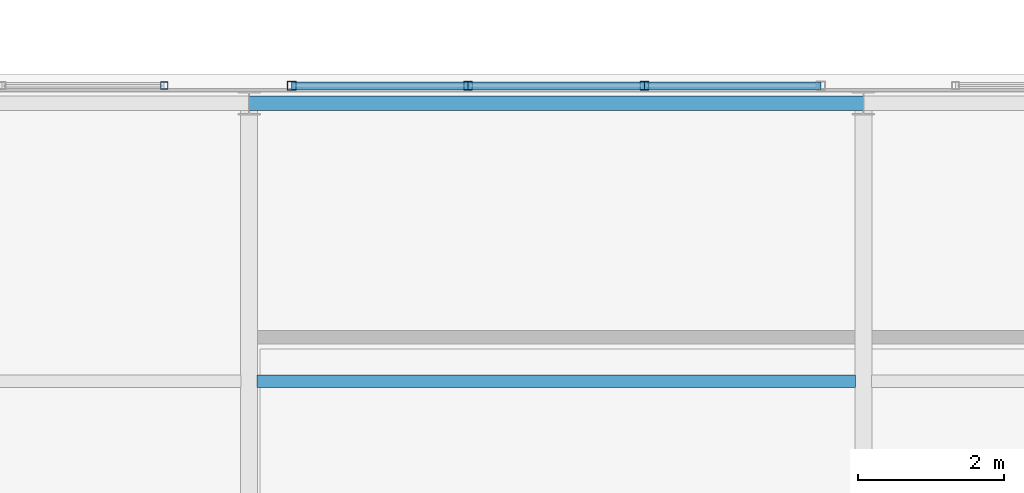
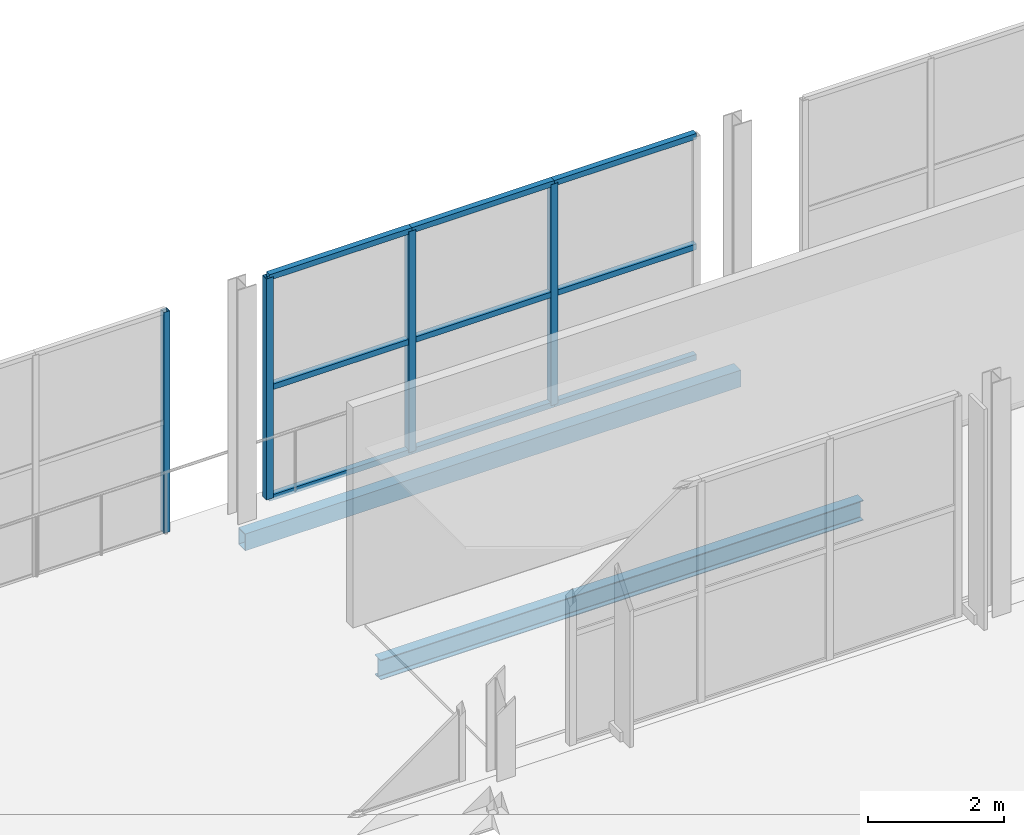
# One storey, part 30 of 151: 13 members, 2 beams, 2 elements without a shape of their own.
"""IFC4 building model written with IfcOpenShell, lengths in metres."""

from ifc_helpers import new_model, si_unit, direction, frame, origin, origin_2d, place, context, subcontext, project, spatial, hollow_rectangle, i_section, extrude, material, material_profile, profile_set, type_object, element, aggregate, save


model = new_model("IFC4")

# Units and contexts
model_context = context("Model", 3, precision=1e-05, world=origin(), true_north=direction((0.0, 1.0)))
body_context = subcontext(model_context, "Body", "Model", "MODEL_VIEW")
ifc_project = project(units=[si_unit("LENGTHUNIT", "METRE"), si_unit("AREAUNIT", "SQUARE_METRE"), si_unit("VOLUMEUNIT", "CUBIC_METRE"), si_unit("PLANEANGLEUNIT", "RADIAN"), si_unit("MASSUNIT", "GRAM", prefix="KILO")], contexts=[model_context])

# Site, building, storey
site_placement = place(None, origin())
site = spatial("IfcSite", under=ifc_project, at=site_placement, CompositionType="ELEMENT")
building_placement = place(site_placement, origin())
building = spatial("IfcBuilding", under=site, at=building_placement, Name="Zuvorla Pavilion Media Centre", CompositionType="ELEMENT")
storey_placement = place(building_placement, frame((0.0, 0.0, 13.800048828125)))
storey = spatial("IfcBuildingStorey", under=building, at=storey_placement, Name="L03", CompositionType="ELEMENT", Elevation=13.800048828125)

# Beams
ifc_material_1 = material(Name="Steel S355", Category="steel")
ifc_material_profile_1 = material_profile(ifc_material_1, hollow_rectangle(XDim=0.199951171875, YDim=0.300048828125, WallThickness=0.012451171875, at=origin_2d()), Name="RHS 300x200x12.5")
ifc_profile_set_1 = profile_set([ifc_material_profile_1], Name="Steel S355")
beam_type_1 = type_object("IfcBeamType", Name="BM-SP-RHS300", PredefinedType="SPANDREL", material=ifc_profile_set_1)
beam_1_placement = place(storey_placement, frame((50.0, 51.60009765625, -0.407958984375), z_axis=(1.0, 0.0, 0.0), x_axis=(0.0, 1.0, 0.0)))
element("IfcBeam", 1, at=beam_1_placement, inside=storey, type_object=beam_type_1, Name="L03 spandrel SP01 1095", PredefinedType="SPANDREL", context=body_context, shape_type="SweptSolid", body=[
    extrude(hollow_rectangle(XDim=0.199951171875, YDim=0.300048828125, WallThickness=0.012451171875, at=origin_2d()), origin(), (0.0, 0.0, 1.0), 8.39990234375),
])
ifc_material_profile_2 = material_profile(ifc_material_1, i_section(OverallWidth=0.172119140625, OverallDepth=0.35791015625, WebThickness=0.008056640625, FlangeThickness=0.012939453125, FilletRadius=0.01025390625, at=origin_2d()), Name="UB 356x171x57")
ifc_profile_set_2 = profile_set([ifc_material_profile_2], Name="Steel S355")
beam_type_2 = type_object("IfcBeamType", Name="BM-UB356", PredefinedType="JOIST", material=ifc_profile_set_2)
beam_2_placement = place(storey_placement, frame((50.109619140625, 47.800048828125, -0.43701171875), z_axis=(1.0, 0.0, 0.0), x_axis=(0.0, 1.0, 0.0)))
element("IfcBeam", 2, at=beam_2_placement, inside=storey, type_object=beam_type_2, Name="L03 joist J03 1251", PredefinedType="JOIST", context=body_context, shape_type="SweptSolid", body=[
    extrude(i_section(OverallWidth=0.172119140625, OverallDepth=0.35791015625, WebThickness=0.008056640625, FlangeThickness=0.012939453125, FilletRadius=0.01025390625, at=origin_2d()), origin(), (0.0, 0.0, 1.0), 8.180908203125),
])

# Curtain wall, member
ifc_material_2 = material(Name="Unitised anodised aluminium and solar glass curtain wall", Category="aluminium")
curtain_wall_type_1 = type_object("IfcCurtainWallType", Name="CW-SYS-32", PredefinedType="USERDEFINED", material=ifc_material_2)
curtain_wall_1_placement = place(storey_placement, origin())
curtain_wall_1 = element("IfcCurtainWall", 3, at=curtain_wall_1_placement, inside=storey, type_object=curtain_wall_type_1, Name="L03 curtain wall CW32 152", ObjectType="CURTAIN WALL", PredefinedType="USERDEFINED")
ifc_material_3 = material(Name="Anodised aluminium 6063-T6", Category="aluminium")
ifc_material_profile_3 = material_profile(ifc_material_3, hollow_rectangle(XDim=0.10009765625, YDim=0.10009765625, WallThickness=0.00439453125, at=origin_2d()), Name="ALU MULL 100x100")
ifc_profile_set_3 = profile_set([ifc_material_profile_3], Name="Anodised aluminium 6063-T6")
member_type_1 = type_object("IfcMemberType", Name="CW-MULL-100", PredefinedType="MULLION", material=ifc_profile_set_3)
member_1_placement = place(storey_placement, frame((48.840087890625, 51.840087890625, 0.0), z_axis=(0.0, 0.0, 1.0), x_axis=(1.0, 0.0, 0.0)))
member_1 = element("IfcMember", 4, at=member_1_placement, type_object=member_type_1, Name="CW32 mullion 4", PredefinedType="MULLION", context=body_context, shape_type="SweptSolid", body=[
    extrude(hollow_rectangle(XDim=0.10009765625, YDim=0.10009765625, WallThickness=0.00439453125, at=origin_2d()), origin(), (0.0, 0.0, 1.0), 3.9599609375),
])
aggregate(curtain_wall_1, [member_1])

# Curtain wall, members
curtain_wall_type_2 = type_object("IfcCurtainWallType", Name="CW-SYS-74", PredefinedType="USERDEFINED", material=ifc_material_2)
curtain_wall_2_placement = place(storey_placement, origin())
curtain_wall_2 = element("IfcCurtainWall", 5, at=curtain_wall_2_placement, inside=storey, type_object=curtain_wall_type_2, Name="L03 curtain wall CW74 154", ObjectType="CURTAIN WALL", PredefinedType="USERDEFINED")
ifc_material_profile_4 = material_profile(ifc_material_3, hollow_rectangle(XDim=0.1201171875, YDim=0.1201171875, WallThickness=0.0048828125, at=origin_2d()), Name="ALU MULL 120x120")
ifc_profile_set_4 = profile_set([ifc_material_profile_4], Name="Anodised aluminium 6063-T6")
member_type_2 = type_object("IfcMemberType", Name="CW-MULL-120", PredefinedType="MULLION", material=ifc_profile_set_4)
member_2_placement = place(storey_placement, frame((50.581787109375, 51.840087890625, 0.0), z_axis=(0.0, 0.0, 1.0), x_axis=(1.0, 0.0, 0.0)))
member_2 = element("IfcMember", 6, at=member_2_placement, type_object=member_type_2, Name="CW74 mullion 1", PredefinedType="MULLION", context=body_context, shape_type="SweptSolid", body=[
    extrude(hollow_rectangle(XDim=0.1201171875, YDim=0.1201171875, WallThickness=0.0048828125, at=origin_2d()), origin(), (0.0, 0.0, 1.0), 3.9599609375),
])
member_3_placement = place(storey_placement, frame((52.993896484375, 51.840087890625, 0.0), z_axis=(0.0, 0.0, 1.0), x_axis=(1.0, 0.0, 0.0)))
member_3 = element("IfcMember", 7, at=member_3_placement, type_object=member_type_2, Name="CW74 mullion 2", PredefinedType="MULLION", context=body_context, shape_type="SweptSolid", body=[
    extrude(hollow_rectangle(XDim=0.1201171875, YDim=0.1201171875, WallThickness=0.0048828125, at=origin_2d()), origin(), (0.0, 0.0, 1.0), 3.9599609375),
])
member_4_placement = place(storey_placement, frame((55.406005859375, 51.840087890625, 0.0), z_axis=(0.0, 0.0, 1.0), x_axis=(1.0, 0.0, 0.0)))
member_4 = element("IfcMember", 8, at=member_4_placement, type_object=member_type_2, Name="CW74 mullion 3", PredefinedType="MULLION", context=body_context, shape_type="SweptSolid", body=[
    extrude(hollow_rectangle(XDim=0.1201171875, YDim=0.1201171875, WallThickness=0.0048828125, at=origin_2d()), origin(), (0.0, 0.0, 1.0), 3.9599609375),
])
ifc_material_profile_5 = material_profile(ifc_material_3, hollow_rectangle(XDim=0.10009765625, YDim=0.10009765625, WallThickness=0.00439453125, at=origin_2d()), Name="ALU TRAN 100x100")
ifc_profile_set_5 = profile_set([ifc_material_profile_5], Name="Anodised aluminium 6063-T6")
member_type_3 = type_object("IfcMemberType", Name="CW-TRAN-100", PredefinedType="USERDEFINED", material=ifc_profile_set_5)
member_5_placement = place(storey_placement, frame((50.581787109375, 51.840087890625, 0.0), z_axis=(1.0, 0.0, 0.0), x_axis=(0.0, 1.0, 0.0)))
member_5 = element("IfcMember", 9, at=member_5_placement, type_object=member_type_3, Name="CW74 transom 1.1", ObjectType="TRANSOM", PredefinedType="USERDEFINED", context=body_context, shape_type="SweptSolid", body=[
    extrude(hollow_rectangle(XDim=0.10009765625, YDim=0.10009765625, WallThickness=0.00439453125, at=origin_2d()), origin(), (0.0, 0.0, 1.0), 2.412109375),
])
member_6_placement = place(storey_placement, frame((50.581787109375, 51.840087890625, 1.97998046875), z_axis=(1.0, 0.0, 0.0), x_axis=(0.0, 1.0, 0.0)))
member_6 = element("IfcMember", 10, at=member_6_placement, type_object=member_type_3, Name="CW74 transom 1.2", ObjectType="TRANSOM", PredefinedType="USERDEFINED", context=body_context, shape_type="SweptSolid", body=[
    extrude(hollow_rectangle(XDim=0.10009765625, YDim=0.10009765625, WallThickness=0.00439453125, at=origin_2d()), origin(), (0.0, 0.0, 1.0), 2.412109375),
])
member_7_placement = place(storey_placement, frame((50.581787109375, 51.840087890625, 3.9599609375), z_axis=(1.0, 0.0, 0.0), x_axis=(0.0, 1.0, 0.0)))
member_7 = element("IfcMember", 11, at=member_7_placement, type_object=member_type_3, Name="CW74 transom 1.3", ObjectType="TRANSOM", PredefinedType="USERDEFINED", context=body_context, shape_type="SweptSolid", body=[
    extrude(hollow_rectangle(XDim=0.10009765625, YDim=0.10009765625, WallThickness=0.00439453125, at=origin_2d()), origin(), (0.0, 0.0, 1.0), 2.412109375),
])
member_8_placement = place(storey_placement, frame((52.993896484375, 51.840087890625, 0.0), z_axis=(1.0, 0.0, 0.0), x_axis=(0.0, 1.0, 0.0)))
member_8 = element("IfcMember", 12, at=member_8_placement, type_object=member_type_3, Name="CW74 transom 2.1", ObjectType="TRANSOM", PredefinedType="USERDEFINED", context=body_context, shape_type="SweptSolid", body=[
    extrude(hollow_rectangle(XDim=0.10009765625, YDim=0.10009765625, WallThickness=0.00439453125, at=origin_2d()), origin(), (0.0, 0.0, 1.0), 2.412109375),
])
member_9_placement = place(storey_placement, frame((52.993896484375, 51.840087890625, 1.97998046875), z_axis=(1.0, 0.0, 0.0), x_axis=(0.0, 1.0, 0.0)))
member_9 = element("IfcMember", 13, at=member_9_placement, type_object=member_type_3, Name="CW74 transom 2.2", ObjectType="TRANSOM", PredefinedType="USERDEFINED", context=body_context, shape_type="SweptSolid", body=[
    extrude(hollow_rectangle(XDim=0.10009765625, YDim=0.10009765625, WallThickness=0.00439453125, at=origin_2d()), origin(), (0.0, 0.0, 1.0), 2.412109375),
])
member_10_placement = place(storey_placement, frame((52.993896484375, 51.840087890625, 3.9599609375), z_axis=(1.0, 0.0, 0.0), x_axis=(0.0, 1.0, 0.0)))
member_10 = element("IfcMember", 14, at=member_10_placement, type_object=member_type_3, Name="CW74 transom 2.3", ObjectType="TRANSOM", PredefinedType="USERDEFINED", context=body_context, shape_type="SweptSolid", body=[
    extrude(hollow_rectangle(XDim=0.10009765625, YDim=0.10009765625, WallThickness=0.00439453125, at=origin_2d()), origin(), (0.0, 0.0, 1.0), 2.412109375),
])
member_11_placement = place(storey_placement, frame((55.406005859375, 51.840087890625, 0.0), z_axis=(1.0, 0.0, 0.0), x_axis=(0.0, 1.0, 0.0)))
member_11 = element("IfcMember", 15, at=member_11_placement, type_object=member_type_3, Name="CW74 transom 3.1", ObjectType="TRANSOM", PredefinedType="USERDEFINED", context=body_context, shape_type="SweptSolid", body=[
    extrude(hollow_rectangle(XDim=0.10009765625, YDim=0.10009765625, WallThickness=0.00439453125, at=origin_2d()), origin(), (0.0, 0.0, 1.0), 2.412109375),
])
member_12_placement = place(storey_placement, frame((55.406005859375, 51.840087890625, 1.97998046875), z_axis=(1.0, 0.0, 0.0), x_axis=(0.0, 1.0, 0.0)))
member_12 = element("IfcMember", 16, at=member_12_placement, type_object=member_type_3, Name="CW74 transom 3.2", ObjectType="TRANSOM", PredefinedType="USERDEFINED", context=body_context, shape_type="SweptSolid", body=[
    extrude(hollow_rectangle(XDim=0.10009765625, YDim=0.10009765625, WallThickness=0.00439453125, at=origin_2d()), origin(), (0.0, 0.0, 1.0), 2.412109375),
])
member_13_placement = place(storey_placement, frame((55.406005859375, 51.840087890625, 3.9599609375), z_axis=(1.0, 0.0, 0.0), x_axis=(0.0, 1.0, 0.0)))
member_13 = element("IfcMember", 17, at=member_13_placement, type_object=member_type_3, Name="CW74 transom 3.3", ObjectType="TRANSOM", PredefinedType="USERDEFINED", context=body_context, shape_type="SweptSolid", body=[
    extrude(hollow_rectangle(XDim=0.10009765625, YDim=0.10009765625, WallThickness=0.00439453125, at=origin_2d()), origin(), (0.0, 0.0, 1.0), 2.412109375),
])
aggregate(curtain_wall_2, [member_2, member_3, member_4, member_5, member_6, member_7, member_8, member_9, member_10, member_11, member_12, member_13])

save(model, "model.ifc")
